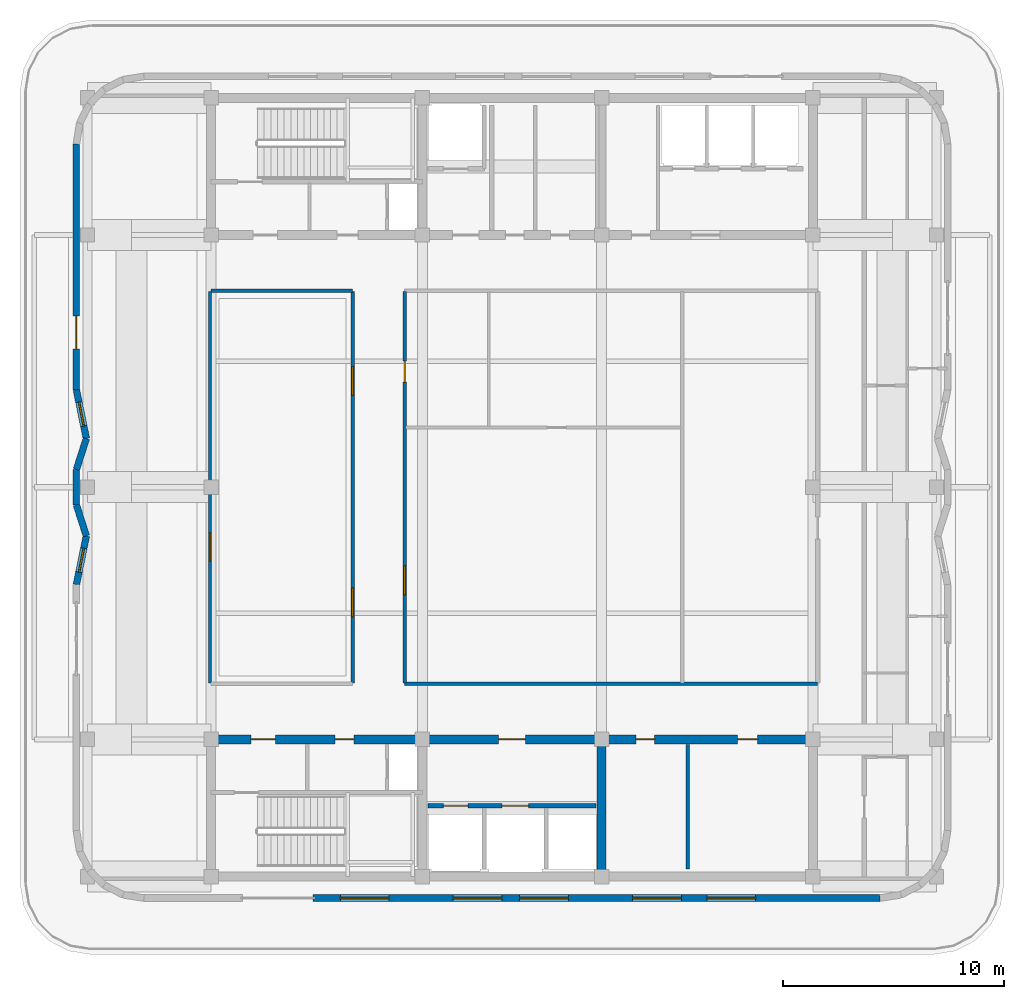
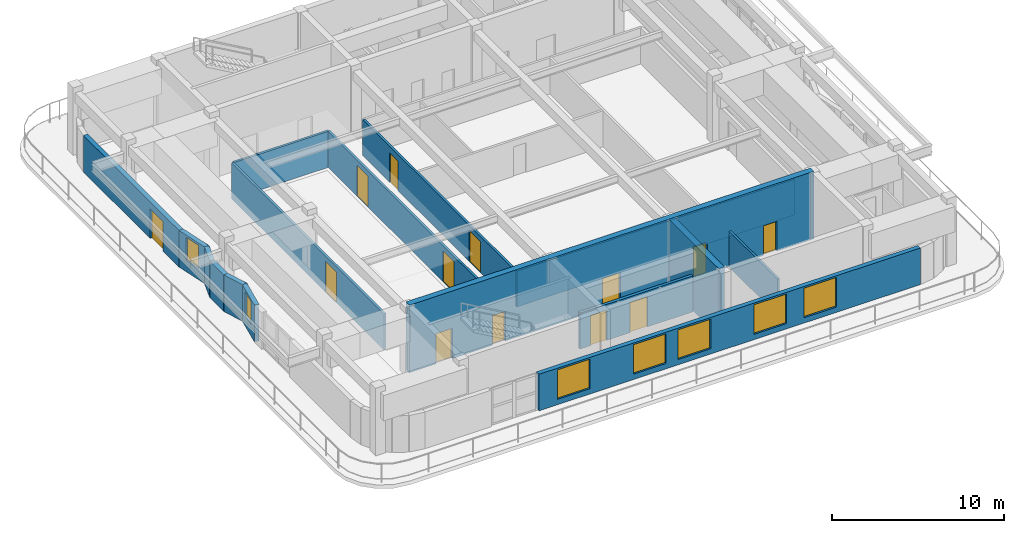
# One storey, part 6 of 12: 16 walls, 13 doors, 7 windows, 20 openings.
"""IFC4 building model written with IfcOpenShell, lengths in metres."""

from ifc_helpers import new_model, si_unit, direction, frame, frame_2d, origin, place, context, subcontext, project, spatial, rectangle, extrude, material, layer, layer_set, type_object, element, fill, save


model = new_model("IFC4")

# Units and contexts
model_context = context("Model", 3, precision=1e-05, world=origin(), true_north=direction((0.0, 1.0)))
body_context = subcontext(model_context, "Body", "Model", "MODEL_VIEW")
ifc_project = project(units=[si_unit("LENGTHUNIT", "METRE"), si_unit("AREAUNIT", "SQUARE_METRE"), si_unit("VOLUMEUNIT", "CUBIC_METRE"), si_unit("PLANEANGLEUNIT", "RADIAN"), si_unit("MASSUNIT", "GRAM", prefix="KILO")], contexts=[model_context])

# Site, building, storey
site_placement = place(None, origin())
site = spatial("IfcSite", under=ifc_project, at=site_placement, CompositionType="ELEMENT")
building_placement = place(site_placement, origin())
building = spatial("IfcBuilding", under=site, at=building_placement, Name="Svetorya Sky Lyceum", CompositionType="ELEMENT")
storey_placement = place(building_placement, frame((0.0, 0.0, 297.199951171875)))
storey = spatial("IfcBuildingStorey", under=building, at=storey_placement, Name="L75", CompositionType="ELEMENT", Elevation=297.199951171875)

# Wall, openings, doors
ifc_material_1 = material(Name="Concrete C40/50", Category="concrete")
ifc_layer_1 = layer(ifc_material_1, 0.39990234375)
ifc_layer_set_1 = layer_set([ifc_layer_1], Name="Concrete C40/50")
wall_type_1 = type_object("IfcWallType", Name="WL-CORE-400", PredefinedType="SHEAR", material=ifc_layer_set_1)
wall_1_placement = place(storey_placement, frame((25.60009765625, 16.800048828125, 0.0), z_axis=(0.0, 0.0, 1.0), x_axis=(1.0, 0.0, 0.0)))
wall_1 = element("IfcWall", 1, at=wall_1_placement, inside=storey, type_object=wall_type_1, Name="L75 SC Inner Core Shear Wall", PredefinedType="SHEAR", context=body_context, shape_type="SweptSolid", body=[
    extrude(rectangle(XDim=27.199951171875, YDim=0.39990234375, at=frame_2d((13.60009765625, 0.0))), origin(), (0.0, 0.0, 1.0), 4.800048828125),
])
opening_1_placement = place(wall_1_placement, frame((1.800048828125, 0.0, 0.0)))
opening_1 = element("IfcOpeningElement", 2, at=opening_1_placement, cuts=wall_1, Name="Opening D-ST1", PredefinedType="OPENING", context=body_context, shape_type="SweptSolid", body=[
    extrude(rectangle(XDim=1.10009765625, YDim=2.14990234375, at=frame_2d((0.550048828125, 1.074951171875))), frame((0.0, 0.2099609375, 0.0), z_axis=(0.0, -1.0, 0.0), x_axis=(1.0, 0.0, 0.0)), (0.0, 0.0, 1.0), 0.419921875),
])
opening_2_placement = place(wall_1_placement, frame((5.60009765625, 0.0, 0.0)))
opening_2 = element("IfcOpeningElement", 3, at=opening_2_placement, cuts=wall_1, Name="Opening D-CWC1", PredefinedType="OPENING", context=body_context, shape_type="SweptSolid", body=[
    extrude(rectangle(XDim=0.85009765625, YDim=2.10009765625, at=frame_2d((0.425048828125, 1.050048828125))), frame((0.0, 0.2099609375, 0.0), z_axis=(0.0, -1.0, 0.0), x_axis=(1.0, 0.0, 0.0)), (0.0, 0.0, 1.0), 0.419921875),
])
opening_3_placement = place(wall_1_placement, frame((13.0, 0.0, 0.0)))
opening_3 = element("IfcOpeningElement", 4, at=opening_3_placement, cuts=wall_1, Name="Opening D-FL1", PredefinedType="OPENING", context=body_context, shape_type="SweptSolid", body=[
    extrude(rectangle(XDim=1.199951171875, YDim=2.14990234375, at=frame_2d((0.60009765625, 1.074951171875))), frame((0.0, 0.2099609375, 0.0), z_axis=(0.0, -1.0, 0.0), x_axis=(1.0, 0.0, 0.0)), (0.0, 0.0, 1.0), 0.419921875),
])
opening_4_placement = place(wall_1_placement, frame((19.199951171875, 0.0, 0.0)))
opening_4 = element("IfcOpeningElement", 5, at=opening_4_placement, cuts=wall_1, Name="Opening D-CWC1", PredefinedType="OPENING", context=body_context, shape_type="SweptSolid", body=[
    extrude(rectangle(XDim=0.85009765625, YDim=2.10009765625, at=frame_2d((0.425048828125, 1.050048828125))), frame((0.0, 0.2099609375, 0.0), z_axis=(0.0, -1.0, 0.0), x_axis=(1.0, 0.0, 0.0)), (0.0, 0.0, 1.0), 0.419921875),
])
opening_5_placement = place(wall_1_placement, frame((23.800048828125, 0.0, 0.0)))
opening_5 = element("IfcOpeningElement", 6, at=opening_5_placement, cuts=wall_1, Name="Opening D-RM1", PredefinedType="OPENING", context=body_context, shape_type="SweptSolid", body=[
    extrude(rectangle(XDim=0.89990234375, YDim=2.10009765625, at=frame_2d((0.449951171875, 1.050048828125))), frame((0.0, 0.2099609375, 0.0), z_axis=(0.0, -1.0, 0.0), x_axis=(1.0, 0.0, 0.0)), (0.0, 0.0, 1.0), 0.419921875),
])
ifc_material_2 = material(Name="Fire-rated galvanized steel core service closet door", Category="steel")
door_type_1 = type_object("IfcDoorType", Name="DR-CWET-850", OperationType="SINGLE_SWING_LEFT", PredefinedType="DOOR", material=ifc_material_2)
door_1_placement = place(opening_2_placement, origin())
door_1 = element("IfcDoor", 7, at=door_1_placement, inside=storey, type_object=door_type_1, Name="L75 South Hydrant Room Door", OperationType="SINGLE_SWING_LEFT", OverallHeight=2.10009765625, OverallWidth=0.85009765625, PredefinedType="DOOR", context=body_context, shape_type="SweptSolid", body=[
    extrude(rectangle(XDim=0.85009765625, YDim=2.10009765625, at=frame_2d((0.425048828125, 1.050048828125))), frame((0.0, 0.02490234375, 0.0), z_axis=(0.0, -1.0, 0.0), x_axis=(1.0, 0.0, 0.0)), (0.0, 0.0, 1.0), 0.050048828125),
])
fill(opening_2, door_1)
door_2_placement = place(opening_4_placement, origin())
door_2 = element("IfcDoor", 8, at=door_2_placement, inside=storey, type_object=door_type_1, Name="L75 Laundry Door", OperationType="SINGLE_SWING_RIGHT", OverallHeight=2.10009765625, OverallWidth=0.85009765625, PredefinedType="DOOR", context=body_context, shape_type="SweptSolid", body=[
    extrude(rectangle(XDim=0.85009765625, YDim=2.10009765625, at=frame_2d((0.425048828125, 1.050048828125))), frame((0.0, 0.02490234375, 0.0), z_axis=(0.0, -1.0, 0.0), x_axis=(1.0, 0.0, 0.0)), (0.0, 0.0, 1.0), 0.050048828125),
])
fill(opening_4, door_2)
ifc_material_3 = material(Name="Powder-coated insulated galvanized stair fire door")
door_type_2 = type_object("IfcDoorType", Name="DR-FIRE-1100", OperationType="SINGLE_SWING_LEFT", PredefinedType="DOOR", material=ifc_material_3)
door_3_placement = place(opening_1_placement, origin())
door_3 = element("IfcDoor", 9, at=door_3_placement, inside=storey, type_object=door_type_2, Name="L75 South Stair Airlock Door", OperationType="SINGLE_SWING_RIGHT", OverallHeight=2.14990234375, OverallWidth=1.10009765625, PredefinedType="DOOR", context=body_context, shape_type="SweptSolid", body=[
    extrude(rectangle(XDim=1.10009765625, YDim=2.14990234375, at=frame_2d((0.550048828125, 1.074951171875))), frame((0.0, 0.02490234375, 0.0), z_axis=(0.0, -1.0, 0.0), x_axis=(1.0, 0.0, 0.0)), (0.0, 0.0, 1.0), 0.050048828125),
])
fill(opening_1, door_3)
ifc_material_4 = material(Name="Powder-coated insulated galvanized fire door")
door_type_3 = type_object("IfcDoorType", Name="DR-FIRE-1200", OperationType="SINGLE_SWING_LEFT", PredefinedType="DOOR", material=ifc_material_4)
door_4_placement = place(opening_3_placement, origin())
door_4 = element("IfcDoor", 10, at=door_4_placement, inside=storey, type_object=door_type_3, Name="L75 South Firefighting Lift Lobby Door", OperationType="SINGLE_SWING_LEFT", OverallHeight=2.14990234375, OverallWidth=1.199951171875, PredefinedType="DOOR", context=body_context, shape_type="SweptSolid", body=[
    extrude(rectangle(XDim=1.199951171875, YDim=2.14990234375, at=frame_2d((0.60009765625, 1.074951171875))), frame((0.0, 0.02490234375, 0.0), z_axis=(0.0, -1.0, 0.0), x_axis=(1.0, 0.0, 0.0)), (0.0, 0.0, 1.0), 0.050048828125),
])
fill(opening_3, door_4)
ifc_material_5 = material(Name="Lacquered birch veneer internal door")
door_type_4 = type_object("IfcDoorType", Name="DR-INT-900", OperationType="SINGLE_SWING_LEFT", PredefinedType="DOOR", material=ifc_material_5)
door_5_placement = place(opening_5_placement, origin())
door_5 = element("IfcDoor", 11, at=door_5_placement, inside=storey, type_object=door_type_4, Name="L75 Pantry Door", OperationType="SINGLE_SWING_LEFT", OverallHeight=2.10009765625, OverallWidth=0.89990234375, PredefinedType="DOOR", context=body_context, shape_type="SweptSolid", body=[
    extrude(rectangle(XDim=0.89990234375, YDim=2.10009765625, at=frame_2d((0.449951171875, 1.050048828125))), frame((0.0, 0.02490234375, 0.0), z_axis=(0.0, -1.0, 0.0), x_axis=(1.0, 0.0, 0.0)), (0.0, 0.0, 1.0), 0.050048828125),
])
fill(opening_5, door_5)

# Wall
wall_2_placement = place(storey_placement, frame((43.25, 10.800048828125, 0.0), z_axis=(0.0, 0.0, 1.0), x_axis=(0.0, 1.0, 0.0)))
element("IfcWall", 12, at=wall_2_placement, inside=storey, type_object=wall_type_1, Name="L75 SC Internal Shear Web WEB2", PredefinedType="SHEAR", context=body_context, shape_type="SweptSolid", body=[
    extrude(rectangle(XDim=5.800048828125, YDim=0.39990234375, at=frame_2d((2.89990234375, 0.0))), origin(), (0.0, 0.0, 1.0), 4.800048828125),
])

# Wall, openings, windows
ifc_material_6 = material(Name="Putilovo limestone rainscreen on autoclaved cellular masonry", Category="masonry")
ifc_layer_2 = layer(ifc_material_6, 0.300048828125)
ifc_layer_set_2 = layer_set([ifc_layer_2], Name="Putilovo limestone rainscreen on autoclaved cellular masonry")
wall_type_2 = type_object("IfcWallType", Name="WL-EXT-300", PredefinedType="SOLIDWALL", material=ifc_layer_set_2)
wall_3_placement = place(storey_placement, frame((30.2099609375, 9.6298828125, 0.0), z_axis=(0.0, 0.0, 1.0), x_axis=(1.0, 0.0, 0.0)))
wall_3 = element("IfcWall", 13, at=wall_3_placement, inside=storey, type_object=wall_type_2, Name="L75 Limestone Exterior Wall 6B", PredefinedType="SOLIDWALL", context=body_context, shape_type="SweptSolid", body=[
    extrude(rectangle(XDim=25.630126953125, YDim=0.300048828125, at=frame_2d((12.81494140625, 0.0))), origin(), (0.0, 0.0, 1.0), 2.60009765625),
])
opening_6_placement = place(wall_3_placement, frame((1.2275390625, 0.0, 0.3798828125)))
opening_6 = element("IfcOpeningElement", 14, at=opening_6_placement, cuts=wall_3, Name="Opening W-O1", PredefinedType="OPENING", context=body_context, shape_type="SweptSolid", body=[
    extrude(rectangle(XDim=2.199951171875, YDim=2.10009765625, at=frame_2d((1.10009765625, 1.050048828125))), frame((0.0, 0.159912109375, 0.0), z_axis=(0.0, -1.0, 0.0), x_axis=(1.0, 0.0, 0.0)), (0.0, 0.0, 1.0), 0.320068359375),
])
opening_7_placement = place(wall_3_placement, frame((6.33251953125, 0.0, 0.3798828125)))
opening_7 = element("IfcOpeningElement", 15, at=opening_7_placement, cuts=wall_3, Name="Opening W-O1", PredefinedType="OPENING", context=body_context, shape_type="SweptSolid", body=[
    extrude(rectangle(XDim=2.199951171875, YDim=2.10009765625, at=frame_2d((1.10009765625, 1.050048828125))), frame((0.0, 0.159912109375, 0.0), z_axis=(0.0, -1.0, 0.0), x_axis=(1.0, 0.0, 0.0)), (0.0, 0.0, 1.0), 0.320068359375),
])
opening_8_placement = place(wall_3_placement, frame((9.33740234375, 0.0, 0.3798828125)))
opening_8 = element("IfcOpeningElement", 16, at=opening_8_placement, cuts=wall_3, Name="Opening W-O1", PredefinedType="OPENING", context=body_context, shape_type="SweptSolid", body=[
    extrude(rectangle(XDim=2.199951171875, YDim=2.10009765625, at=frame_2d((1.10009765625, 1.050048828125))), frame((0.0, 0.159912109375, 0.0), z_axis=(0.0, -1.0, 0.0), x_axis=(1.0, 0.0, 0.0)), (0.0, 0.0, 1.0), 0.320068359375),
])
opening_9_placement = place(wall_3_placement, frame((14.4423828125, 0.0, 0.3798828125)))
opening_9 = element("IfcOpeningElement", 17, at=opening_9_placement, cuts=wall_3, Name="Opening W-O1", PredefinedType="OPENING", context=body_context, shape_type="SweptSolid", body=[
    extrude(rectangle(XDim=2.199951171875, YDim=2.10009765625, at=frame_2d((1.10009765625, 1.050048828125))), frame((0.0, 0.159912109375, 0.0), z_axis=(0.0, -1.0, 0.0), x_axis=(1.0, 0.0, 0.0)), (0.0, 0.0, 1.0), 0.320068359375),
])
opening_10_placement = place(wall_3_placement, frame((17.797607421875, 0.0, 0.3798828125)))
opening_10 = element("IfcOpeningElement", 18, at=opening_10_placement, cuts=wall_3, Name="Opening W-O1", PredefinedType="OPENING", context=body_context, shape_type="SweptSolid", body=[
    extrude(rectangle(XDim=2.199951171875, YDim=2.10009765625, at=frame_2d((1.10009765625, 1.050048828125))), frame((0.0, 0.159912109375, 0.0), z_axis=(0.0, -1.0, 0.0), x_axis=(1.0, 0.0, 0.0)), (0.0, 0.0, 1.0), 0.320068359375),
])
ifc_material_7 = material(Name="Thermally broken aluminium frame with triple low-E glazing", Category="aluminium")
window_type_1 = type_object("IfcWindowType", Name="WN-OBS-220", PartitioningType="TRIPLE_PANEL_VERTICAL", PredefinedType="WINDOW", material=ifc_material_7)
window_1_placement = place(opening_6_placement, origin())
window_1 = element("IfcWindow", 19, at=window_1_placement, inside=storey, type_object=window_type_1, Name="L75 Facade Window W-O1.6B.1", OverallHeight=2.10009765625, OverallWidth=2.199951171875, PartitioningType="SINGLE_PANEL", PredefinedType="WINDOW", context=body_context, shape_type="SweptSolid", body=[
    extrude(rectangle(XDim=2.199951171875, YDim=2.10009765625, at=frame_2d((1.10009765625, 1.050048828125))), frame((0.0, 0.030029296875, 0.0), z_axis=(0.0, -1.0, 0.0), x_axis=(1.0, 0.0, 0.0)), (0.0, 0.0, 1.0), 0.06005859375),
])
fill(opening_6, window_1)
window_2_placement = place(opening_7_placement, origin())
window_2 = element("IfcWindow", 20, at=window_2_placement, inside=storey, type_object=window_type_1, Name="L75 Facade Window W-O1.6B.2", OverallHeight=2.10009765625, OverallWidth=2.199951171875, PartitioningType="SINGLE_PANEL", PredefinedType="WINDOW", context=body_context, shape_type="SweptSolid", body=[
    extrude(rectangle(XDim=2.199951171875, YDim=2.10009765625, at=frame_2d((1.10009765625, 1.050048828125))), frame((0.0, 0.030029296875, 0.0), z_axis=(0.0, -1.0, 0.0), x_axis=(1.0, 0.0, 0.0)), (0.0, 0.0, 1.0), 0.06005859375),
])
fill(opening_7, window_2)
window_3_placement = place(opening_8_placement, origin())
window_3 = element("IfcWindow", 21, at=window_3_placement, inside=storey, type_object=window_type_1, Name="L75 Facade Window W-O1.6B.3", OverallHeight=2.10009765625, OverallWidth=2.199951171875, PartitioningType="SINGLE_PANEL", PredefinedType="WINDOW", context=body_context, shape_type="SweptSolid", body=[
    extrude(rectangle(XDim=2.199951171875, YDim=2.10009765625, at=frame_2d((1.10009765625, 1.050048828125))), frame((0.0, 0.030029296875, 0.0), z_axis=(0.0, -1.0, 0.0), x_axis=(1.0, 0.0, 0.0)), (0.0, 0.0, 1.0), 0.06005859375),
])
fill(opening_8, window_3)
window_4_placement = place(opening_9_placement, origin())
window_4 = element("IfcWindow", 22, at=window_4_placement, inside=storey, type_object=window_type_1, Name="L75 Facade Window W-O1.6B.4", OverallHeight=2.10009765625, OverallWidth=2.199951171875, PartitioningType="SINGLE_PANEL", PredefinedType="WINDOW", context=body_context, shape_type="SweptSolid", body=[
    extrude(rectangle(XDim=2.199951171875, YDim=2.10009765625, at=frame_2d((1.10009765625, 1.050048828125))), frame((0.0, 0.030029296875, 0.0), z_axis=(0.0, -1.0, 0.0), x_axis=(1.0, 0.0, 0.0)), (0.0, 0.0, 1.0), 0.06005859375),
])
fill(opening_9, window_4)
window_5_placement = place(opening_10_placement, origin())
window_5 = element("IfcWindow", 23, at=window_5_placement, inside=storey, type_object=window_type_1, Name="L75 Facade Window W-O1.6B.5", OverallHeight=2.10009765625, OverallWidth=2.199951171875, PartitioningType="SINGLE_PANEL", PredefinedType="WINDOW", context=body_context, shape_type="SweptSolid", body=[
    extrude(rectangle(XDim=2.199951171875, YDim=2.10009765625, at=frame_2d((1.10009765625, 1.050048828125))), frame((0.0, 0.030029296875, 0.0), z_axis=(0.0, -1.0, 0.0), x_axis=(1.0, 0.0, 0.0)), (0.0, 0.0, 1.0), 0.06005859375),
])
fill(opening_10, window_5)

# Wall, opening, door
wall_4_placement = place(storey_placement, frame((19.510009765625, 43.719970703125, 0.0), z_axis=(0.0, 0.0, 1.0), x_axis=(0.0, -1.0, 0.0)))
wall_4 = element("IfcWall", 24, at=wall_4_placement, inside=storey, type_object=wall_type_2, Name="L75 Limestone Exterior Wall 30M", PredefinedType="SOLIDWALL", context=body_context, shape_type="SweptSolid", body=[
    extrude(rectangle(XDim=11.119873046875, YDim=0.300048828125, at=frame_2d((5.56005859375, 0.0))), origin(), (0.0, 0.0, 1.0), 2.60009765625),
])
opening_11_placement = place(wall_4_placement, frame((7.77001953125, 0.0, 0.0)))
opening_11 = element("IfcOpeningElement", 25, at=opening_11_placement, cuts=wall_4, Name="Opening D-TR1", PredefinedType="OPENING", context=body_context, shape_type="SweptSolid", body=[
    extrude(rectangle(XDim=1.5, YDim=2.10009765625, at=frame_2d((0.75, 1.050048828125))), frame((0.0, 0.159912109375, 0.0), z_axis=(0.0, -1.0, 0.0), x_axis=(1.0, 0.0, 0.0)), (0.0, 0.0, 1.0), 0.320068359375),
])
ifc_material_8 = material(Name="Insulated glazed aluminium terrace door", Category="aluminium")
door_type_5 = type_object("IfcDoorType", Name="DR-TER-1500", OperationType="DOUBLE_DOOR_SINGLE_SWING", PredefinedType="DOOR", material=ifc_material_8)
door_6_placement = place(opening_11_placement, origin())
door_6 = element("IfcDoor", 26, at=door_6_placement, inside=storey, type_object=door_type_5, Name="L75 Setback Terrace Door", OperationType="DOUBLE_DOOR_SINGLE_SWING", OverallHeight=2.10009765625, OverallWidth=1.5, PredefinedType="DOOR", context=body_context, shape_type="SweptSolid", body=[
    extrude(rectangle(XDim=1.5, YDim=2.10009765625, at=frame_2d((0.75, 1.050048828125))), frame((0.0, 0.02490234375, 0.0), z_axis=(0.0, -1.0, 0.0), x_axis=(1.0, 0.0, 0.0)), (0.0, 0.0, 1.0), 0.050048828125),
])
fill(opening_11, door_6)

# Wall, opening, window
wall_5_placement = place(storey_placement, frame((19.510009765625, 32.60009765625, 0.0), z_axis=(0.0, 0.0, 1.0), x_axis=(0.200358291506, -0.979722692921, 0.0)))
wall_5 = element("IfcWall", 27, at=wall_5_placement, inside=storey, type_object=wall_type_2, Name="L75 Limestone Exterior Wall 31M", PredefinedType="SOLIDWALL", context=body_context, shape_type="SweptSolid", body=[
    extrude(rectangle(XDim=2.245849609375, YDim=0.300048828125, at=frame_2d((1.123046875, 0.0))), origin(), (0.0, 0.0, 1.0), 2.60009765625),
])
opening_12_placement = place(wall_5_placement, frame((0.57275390625, 0.0, 0.7900390625)))
opening_12 = element("IfcOpeningElement", 28, at=opening_12_placement, cuts=wall_5, Name="Opening W-R3", PredefinedType="OPENING", context=body_context, shape_type="SweptSolid", body=[
    extrude(rectangle(XDim=1.10009765625, YDim=1.64990234375, at=frame_2d((0.550048828125, 0.824951171875))), frame((0.0, 0.159912109375, 0.0), z_axis=(0.0, -1.0, 0.0), x_axis=(1.0, 0.0, 0.0)), (0.0, 0.0, 1.0), 0.320068359375),
])
window_type_2 = type_object("IfcWindowType", Name="WN-RES-110", PartitioningType="SINGLE_PANEL", PredefinedType="WINDOW", material=ifc_material_7)
window_6_placement = place(opening_12_placement, origin())
window_6 = element("IfcWindow", 29, at=window_6_placement, inside=storey, type_object=window_type_2, Name="L75 Facade Window W-R3.31M.1", OverallHeight=1.64990234375, OverallWidth=1.10009765625, PartitioningType="SINGLE_PANEL", PredefinedType="WINDOW", context=body_context, shape_type="SweptSolid", body=[
    extrude(rectangle(XDim=1.10009765625, YDim=1.64990234375, at=frame_2d((0.550048828125, 0.824951171875))), frame((0.0, 0.030029296875, 0.0), z_axis=(0.0, -1.0, 0.0), x_axis=(1.0, 0.0, 0.0)), (0.0, 0.0, 1.0), 0.06005859375),
])
fill(opening_12, window_6)

# Walls
wall_6_placement = place(storey_placement, frame((19.9599609375, 30.39990234375, 0.0), z_axis=(0.0, 0.0, 1.0), x_axis=(-0.30599843145, -0.952032016242, 0.0)))
element("IfcWall", 30, at=wall_6_placement, inside=storey, type_object=wall_type_2, Name="L75 Limestone Exterior Wall 32M", PredefinedType="SOLIDWALL", context=body_context, shape_type="SweptSolid", body=[
    extrude(rectangle(XDim=1.470458984375, YDim=0.300048828125, at=frame_2d((0.7353515625, 0.0))), origin(), (0.0, 0.0, 1.0), 2.60009765625),
])
wall_7_placement = place(storey_placement, frame((19.510009765625, 29.0, 0.0), z_axis=(0.0, 0.0, 1.0), x_axis=(0.0, -1.0, 0.0)))
element("IfcWall", 31, at=wall_7_placement, inside=storey, type_object=wall_type_2, Name="L75 Limestone Exterior Wall 33M", PredefinedType="SOLIDWALL", context=body_context, shape_type="SweptSolid", body=[
    extrude(rectangle(XDim=1.60009765625, YDim=0.300048828125, at=frame_2d((0.800048828125, 0.0))), origin(), (0.0, 0.0, 1.0), 2.60009765625),
])
wall_8_placement = place(storey_placement, frame((19.510009765625, 27.39990234375, 0.0), z_axis=(0.0, 0.0, 1.0), x_axis=(0.30599843145, -0.952032016242, 0.0)))
element("IfcWall", 32, at=wall_8_placement, inside=storey, type_object=wall_type_2, Name="L75 Limestone Exterior Wall 34M", PredefinedType="SOLIDWALL", context=body_context, shape_type="SweptSolid", body=[
    extrude(rectangle(XDim=1.470458984375, YDim=0.300048828125, at=frame_2d((0.7353515625, 0.0))), origin(), (0.0, 0.0, 1.0), 2.60009765625),
])

# Wall, opening, window
wall_9_placement = place(storey_placement, frame((19.9599609375, 26.0, 0.0), z_axis=(0.0, 0.0, 1.0), x_axis=(-0.200379633636, -0.979718328104, 0.0)))
wall_9 = element("IfcWall", 33, at=wall_9_placement, inside=storey, type_object=wall_type_2, Name="L75 Limestone Exterior Wall 35M", PredefinedType="SOLIDWALL", context=body_context, shape_type="SweptSolid", body=[
    extrude(rectangle(XDim=2.24560546875, YDim=0.300048828125, at=frame_2d((1.122802734375, 0.0))), origin(), (0.0, 0.0, 1.0), 2.60009765625),
])
opening_13_placement = place(wall_9_placement, frame((0.57275390625, 0.0, 0.7900390625)))
opening_13 = element("IfcOpeningElement", 34, at=opening_13_placement, cuts=wall_9, Name="Opening W-R3", PredefinedType="OPENING", context=body_context, shape_type="SweptSolid", body=[
    extrude(rectangle(XDim=1.10009765625, YDim=1.64990234375, at=frame_2d((0.550048828125, 0.824951171875))), frame((0.0, 0.159912109375, 0.0), z_axis=(0.0, -1.0, 0.0), x_axis=(1.0, 0.0, 0.0)), (0.0, 0.0, 1.0), 0.320068359375),
])
window_7_placement = place(opening_13_placement, origin())
window_7 = element("IfcWindow", 35, at=window_7_placement, inside=storey, type_object=window_type_2, Name="L75 Facade Window W-R3.35M.1", OverallHeight=1.64990234375, OverallWidth=1.10009765625, PartitioningType="SINGLE_PANEL", PredefinedType="WINDOW", context=body_context, shape_type="SweptSolid", body=[
    extrude(rectangle(XDim=1.10009765625, YDim=1.64990234375, at=frame_2d((0.550048828125, 0.824951171875))), frame((0.0, 0.030029296875, 0.0), z_axis=(0.0, -1.0, 0.0), x_axis=(1.0, 0.0, 0.0)), (0.0, 0.0, 1.0), 0.06005859375),
])
fill(opening_13, window_7)

# Wall
ifc_material_9 = material(Name="Autoclaved cellular masonry blockwork with acoustic render", Category="masonry")
ifc_layer_3 = layer(ifc_material_9, 0.14990234375)
ifc_layer_set_3 = layer_set([ifc_layer_3], Name="Autoclaved cellular masonry blockwork with acoustic render")
wall_type_3 = type_object("IfcWallType", Name="WL-PART-150", PredefinedType="PARTITIONING", material=ifc_layer_set_3)
wall_10_placement = place(storey_placement, frame((47.14990234375, 10.949951171875, 0.0), z_axis=(0.0, 0.0, 1.0), x_axis=(0.0, 1.0, 0.0)))
element("IfcWall", 36, at=wall_10_placement, inside=storey, type_object=wall_type_3, Name="L75 Interior Partition SC-LV7-VA", PredefinedType="PARTITIONING", context=body_context, shape_type="SweptSolid", body=[
    extrude(rectangle(XDim=5.630126953125, YDim=0.14990234375, at=frame_2d((2.81494140625, 0.0))), origin(), (0.0, 0.0, 1.0), 2.56005859375),
])

# Wall, openings, doors
wall_11_placement = place(storey_placement, frame((32.0, 19.35009765625, 0.0), z_axis=(0.0, 0.0, 1.0), x_axis=(0.0, 1.0, 0.0)))
wall_11 = element("IfcWall", 37, at=wall_11_placement, inside=storey, type_object=wall_type_3, Name="L75 Interior Partition OBS-GW", PredefinedType="PARTITIONING", context=body_context, shape_type="SweptSolid", body=[
    extrude(rectangle(XDim=17.699951171875, YDim=0.14990234375, at=frame_2d((8.85009765625, 0.0))), origin(), (0.0, 0.0, 1.0), 2.56005859375),
])
opening_14_placement = place(wall_11_placement, frame((3.0, 0.0, 0.0)))
opening_14 = element("IfcOpeningElement", 38, at=opening_14_placement, cuts=wall_11, Name="Opening D-LB1", PredefinedType="OPENING", context=body_context, shape_type="SweptSolid", body=[
    extrude(rectangle(XDim=1.300048828125, YDim=2.199951171875, at=frame_2d((0.64990234375, 1.10009765625))), frame((0.0, 0.0849609375, 0.0), z_axis=(0.0, -1.0, 0.0), x_axis=(1.0, 0.0, 0.0)), (0.0, 0.0, 1.0), 0.169921875),
])
opening_15_placement = place(wall_11_placement, frame((13.0, 0.0, 0.0)))
opening_15 = element("IfcOpeningElement", 39, at=opening_15_placement, cuts=wall_11, Name="Opening D-LB1", PredefinedType="OPENING", context=body_context, shape_type="SweptSolid", body=[
    extrude(rectangle(XDim=1.300048828125, YDim=2.199951171875, at=frame_2d((0.64990234375, 1.10009765625))), frame((0.0, 0.0849609375, 0.0), z_axis=(0.0, -1.0, 0.0), x_axis=(1.0, 0.0, 0.0)), (0.0, 0.0, 1.0), 0.169921875),
])
ifc_material_10 = material(Name="Glazed fire-rated aluminium lobby door", Category="aluminium")
door_type_6 = type_object("IfcDoorType", Name="DR-LOB-1300", OperationType="SINGLE_SWING_LEFT", PredefinedType="DOOR", material=ifc_material_10)
door_7_placement = place(opening_14_placement, origin())
door_7 = element("IfcDoor", 40, at=door_7_placement, inside=storey, type_object=door_type_6, Name="West Observatory Gallery Door 1", OperationType="SINGLE_SWING_LEFT", OverallHeight=2.199951171875, OverallWidth=1.300048828125, PredefinedType="DOOR", context=body_context, shape_type="SweptSolid", body=[
    extrude(rectangle(XDim=1.300048828125, YDim=2.199951171875, at=frame_2d((0.64990234375, 1.10009765625))), frame((0.0, 0.02490234375, 0.0), z_axis=(0.0, -1.0, 0.0), x_axis=(1.0, 0.0, 0.0)), (0.0, 0.0, 1.0), 0.050048828125),
])
fill(opening_14, door_7)
door_8_placement = place(opening_15_placement, origin())
door_8 = element("IfcDoor", 41, at=door_8_placement, inside=storey, type_object=door_type_6, Name="West Observatory Gallery Door 2", OperationType="SINGLE_SWING_RIGHT", OverallHeight=2.199951171875, OverallWidth=1.300048828125, PredefinedType="DOOR", context=body_context, shape_type="SweptSolid", body=[
    extrude(rectangle(XDim=1.300048828125, YDim=2.199951171875, at=frame_2d((0.64990234375, 1.10009765625))), frame((0.0, 0.02490234375, 0.0), z_axis=(0.0, -1.0, 0.0), x_axis=(1.0, 0.0, 0.0)), (0.0, 0.0, 1.0), 0.050048828125),
])
fill(opening_15, door_8)

# Wall
wall_12_placement = place(storey_placement, frame((25.60009765625, 37.080078125, 0.0), z_axis=(0.0, 0.0, 1.0), x_axis=(1.0, 0.0, 0.0)))
element("IfcWall", 42, at=wall_12_placement, inside=storey, type_object=wall_type_3, Name="L75 Interior Partition OBS-GWN", PredefinedType="PARTITIONING", context=body_context, shape_type="SweptSolid", body=[
    extrude(rectangle(XDim=6.39990234375, YDim=0.14990234375, at=frame_2d((3.199951171875, 0.0))), origin(), (0.0, 0.0, 1.0), 2.56005859375),
])

# Wall, opening, door
wall_13_placement = place(storey_placement, frame((25.550048828125, 19.35009765625, 0.0), z_axis=(0.0, 0.0, 1.0), x_axis=(0.0, 1.0, 0.0)))
wall_13 = element("IfcWall", 43, at=wall_13_placement, inside=storey, type_object=wall_type_3, Name="L75 Interior Partition OBS-GWW", PredefinedType="PARTITIONING", context=body_context, shape_type="SweptSolid", body=[
    extrude(rectangle(XDim=17.699951171875, YDim=0.14990234375, at=frame_2d((8.85009765625, 0.0))), origin(), (0.0, 0.0, 1.0), 2.56005859375),
])
opening_16_placement = place(wall_13_placement, frame((5.5, 0.0, 0.0)))
opening_16 = element("IfcOpeningElement", 44, at=opening_16_placement, cuts=wall_13, Name="Opening D-LB1", PredefinedType="OPENING", context=body_context, shape_type="SweptSolid", body=[
    extrude(rectangle(XDim=1.300048828125, YDim=2.199951171875, at=frame_2d((0.64990234375, 1.10009765625))), frame((0.0, 0.0849609375, 0.0), z_axis=(0.0, -1.0, 0.0), x_axis=(1.0, 0.0, 0.0)), (0.0, 0.0, 1.0), 0.169921875),
])
door_9_placement = place(opening_16_placement, origin())
door_9 = element("IfcDoor", 45, at=door_9_placement, inside=storey, type_object=door_type_6, Name="Observatory West Wing Link Door", OperationType="SINGLE_SWING_LEFT", OverallHeight=2.199951171875, OverallWidth=1.300048828125, PredefinedType="DOOR", context=body_context, shape_type="SweptSolid", body=[
    extrude(rectangle(XDim=1.300048828125, YDim=2.199951171875, at=frame_2d((0.64990234375, 1.10009765625))), frame((0.0, 0.02490234375, 0.0), z_axis=(0.0, -1.0, 0.0), x_axis=(1.0, 0.0, 0.0)), (0.0, 0.0, 1.0), 0.050048828125),
])
fill(opening_16, door_9)

# Wall, openings, doors
wall_14_placement = place(storey_placement, frame((34.35009765625, 19.35009765625, 0.0), z_axis=(0.0, 0.0, 1.0), x_axis=(0.0, 1.0, 0.0)))
wall_14 = element("IfcWall", 46, at=wall_14_placement, inside=storey, type_object=wall_type_3, Name="L75 Interior Partition OBS-GE", PredefinedType="PARTITIONING", context=body_context, shape_type="SweptSolid", body=[
    extrude(rectangle(XDim=17.699951171875, YDim=0.14990234375, at=frame_2d((8.85009765625, 0.0))), origin(), (0.0, 0.0, 1.0), 2.56005859375),
])
opening_17_placement = place(wall_14_placement, frame((4.0, 0.0, 0.0)))
opening_17 = element("IfcOpeningElement", 47, at=opening_17_placement, cuts=wall_14, Name="Opening D-LB1", PredefinedType="OPENING", context=body_context, shape_type="SweptSolid", body=[
    extrude(rectangle(XDim=1.300048828125, YDim=2.199951171875, at=frame_2d((0.64990234375, 1.10009765625))), frame((0.0, 0.0849609375, 0.0), z_axis=(0.0, -1.0, 0.0), x_axis=(1.0, 0.0, 0.0)), (0.0, 0.0, 1.0), 0.169921875),
])
opening_18_placement = place(wall_14_placement, frame((13.60009765625, 0.0, 0.0)))
opening_18 = element("IfcOpeningElement", 48, at=opening_18_placement, cuts=wall_14, Name="Opening D-WC1", PredefinedType="OPENING", context=body_context, shape_type="SweptSolid", body=[
    extrude(rectangle(XDim=0.949951171875, YDim=2.10009765625, at=frame_2d((0.47509765625, 1.050048828125))), frame((0.0, 0.0849609375, 0.0), z_axis=(0.0, -1.0, 0.0), x_axis=(1.0, 0.0, 0.0)), (0.0, 0.0, 1.0), 0.169921875),
])
ifc_material_11 = material(Name="Moisture-resistant laminate accessible WC door")
door_type_7 = type_object("IfcDoorType", Name="DR-ACC-950", OperationType="SINGLE_SWING_LEFT", PredefinedType="DOOR", material=ifc_material_11)
door_10_placement = place(opening_18_placement, origin())
door_10 = element("IfcDoor", 49, at=door_10_placement, inside=storey, type_object=door_type_7, Name="Observatory Accessible WC Door", OperationType="SINGLE_SWING_LEFT", OverallHeight=2.10009765625, OverallWidth=0.949951171875, PredefinedType="DOOR", context=body_context, shape_type="SweptSolid", body=[
    extrude(rectangle(XDim=0.949951171875, YDim=2.10009765625, at=frame_2d((0.47509765625, 1.050048828125))), frame((0.0, 0.02490234375, 0.0), z_axis=(0.0, -1.0, 0.0), x_axis=(1.0, 0.0, 0.0)), (0.0, 0.0, 1.0), 0.050048828125),
])
fill(opening_18, door_10)
door_11_placement = place(opening_17_placement, origin())
door_11 = element("IfcDoor", 50, at=door_11_placement, inside=storey, type_object=door_type_6, Name="Observatory Cafe Door", OperationType="SINGLE_SWING_RIGHT", OverallHeight=2.199951171875, OverallWidth=1.300048828125, PredefinedType="DOOR", context=body_context, shape_type="SweptSolid", body=[
    extrude(rectangle(XDim=1.300048828125, YDim=2.199951171875, at=frame_2d((0.64990234375, 1.10009765625))), frame((0.0, 0.02490234375, 0.0), z_axis=(0.0, -1.0, 0.0), x_axis=(1.0, 0.0, 0.0)), (0.0, 0.0, 1.0), 0.050048828125),
])
fill(opening_17, door_11)

# Wall
wall_15_placement = place(storey_placement, frame((34.35009765625, 19.320068359375, 0.0), z_axis=(0.0, 0.0, 1.0), x_axis=(1.0, 0.0, 0.0)))
element("IfcWall", 51, at=wall_15_placement, inside=storey, type_object=wall_type_3, Name="L75 Interior Partition OBS-CS", PredefinedType="PARTITIONING", context=body_context, shape_type="SweptSolid", body=[
    extrude(rectangle(XDim=18.669921875, YDim=0.14990234375, at=frame_2d((9.3349609375, 0.0))), origin(), (0.0, 0.0, 1.0), 2.56005859375),
])

# Wall, openings, doors
ifc_material_12 = material(Name="Autoclaved cellular masonry blockwork with gypsum plaster", Category="masonry")
ifc_layer_4 = layer(ifc_material_12, 0.199951171875)
ifc_layer_set_4 = layer_set([ifc_layer_4], Name="Autoclaved cellular masonry blockwork with gypsum plaster")
wall_type_4 = type_object("IfcWallType", Name="WL-PART-200", PredefinedType="PARTITIONING", material=ifc_layer_set_4)
wall_16_placement = place(storey_placement, frame((35.39990234375, 13.800048828125, 0.0), z_axis=(0.0, 0.0, 1.0), x_axis=(1.0, 0.0, 0.0)))
wall_16 = element("IfcWall", 52, at=wall_16_placement, inside=storey, type_object=wall_type_4, Name="L75 Interior Partition SC-FLW", PredefinedType="PARTITIONING", context=body_context, shape_type="SweptSolid", body=[
    extrude(rectangle(XDim=7.60009765625, YDim=0.199951171875, at=frame_2d((3.800048828125, 0.0))), origin(), (0.0, 0.0, 1.0), 2.56005859375),
])
opening_19_placement = place(wall_16_placement, frame((0.699951171875, 0.0, 0.0)))
opening_19 = element("IfcOpeningElement", 53, at=opening_19_placement, cuts=wall_16, Name="Opening LD-FL", PredefinedType="OPENING", context=body_context, shape_type="SweptSolid", body=[
    extrude(rectangle(XDim=1.10009765625, YDim=2.14990234375, at=frame_2d((0.550048828125, 1.074951171875))), frame((0.0, 0.10986328125, 0.0), z_axis=(0.0, -1.0, 0.0), x_axis=(1.0, 0.0, 0.0)), (0.0, 0.0, 1.0), 0.219970703125),
])
opening_20_placement = place(wall_16_placement, frame((3.35009765625, 0.0, 0.0)))
opening_20 = element("IfcOpeningElement", 54, at=opening_20_placement, cuts=wall_16, Name="Opening LD-SV", PredefinedType="OPENING", context=body_context, shape_type="SweptSolid", body=[
    extrude(rectangle(XDim=1.199951171875, YDim=2.14990234375, at=frame_2d((0.60009765625, 1.074951171875))), frame((0.0, 0.10986328125, 0.0), z_axis=(0.0, -1.0, 0.0), x_axis=(1.0, 0.0, 0.0)), (0.0, 0.0, 1.0), 0.219970703125),
])
ifc_material_13 = material(Name="Fire-rated stainless AISI 304 firefighting lift landing door")
door_type_8 = type_object("IfcDoorType", Name="DR-LIFT-1100", OperationType="SLIDING_TO_LEFT", PredefinedType="DOOR", material=ifc_material_13)
door_12_placement = place(opening_19_placement, origin())
door_12 = element("IfcDoor", 55, at=door_12_placement, inside=storey, type_object=door_type_8, Name="L75 Firefighting Lift FL2 Landing Door", OperationType="SLIDING_TO_LEFT", OverallHeight=2.14990234375, OverallWidth=1.10009765625, PredefinedType="DOOR", context=body_context, shape_type="SweptSolid", body=[
    extrude(rectangle(XDim=1.10009765625, YDim=2.14990234375, at=frame_2d((0.550048828125, 1.074951171875))), frame((0.0, 0.02490234375, 0.0), z_axis=(0.0, -1.0, 0.0), x_axis=(1.0, 0.0, 0.0)), (0.0, 0.0, 1.0), 0.050048828125),
])
fill(opening_19, door_12)
ifc_material_14 = material(Name="Brushed stainless AISI 304 telescopic lift landing door")
door_type_9 = type_object("IfcDoorType", Name="DR-LIFT-1200", OperationType="SLIDING_TO_LEFT", PredefinedType="DOOR", material=ifc_material_14)
door_13_placement = place(opening_20_placement, origin())
door_13 = element("IfcDoor", 56, at=door_13_placement, inside=storey, type_object=door_type_9, Name="L75 Service Lift SVL1 Landing Door", OperationType="SLIDING_TO_LEFT", OverallHeight=2.14990234375, OverallWidth=1.199951171875, PredefinedType="DOOR", context=body_context, shape_type="SweptSolid", body=[
    extrude(rectangle(XDim=1.199951171875, YDim=2.14990234375, at=frame_2d((0.60009765625, 1.074951171875))), frame((0.0, 0.02490234375, 0.0), z_axis=(0.0, -1.0, 0.0), x_axis=(1.0, 0.0, 0.0)), (0.0, 0.0, 1.0), 0.050048828125),
])
fill(opening_20, door_13)

save(model, "model.ifc")
